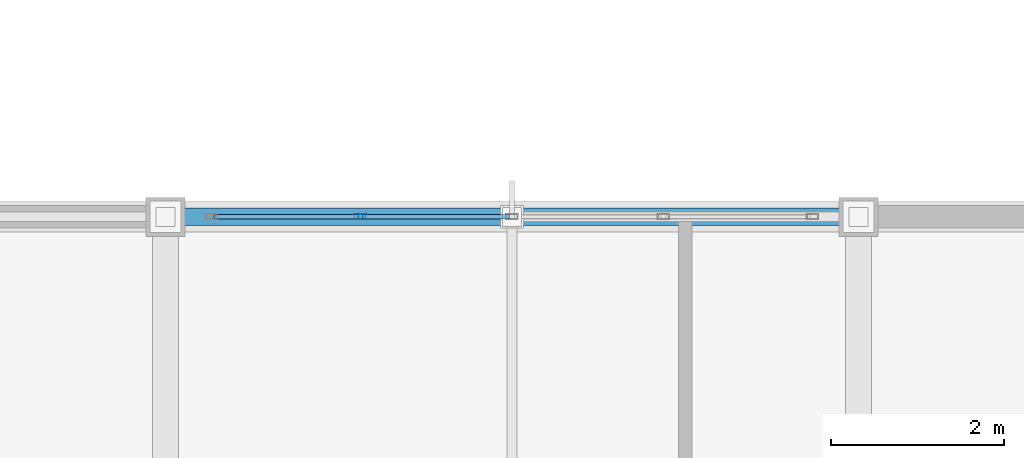
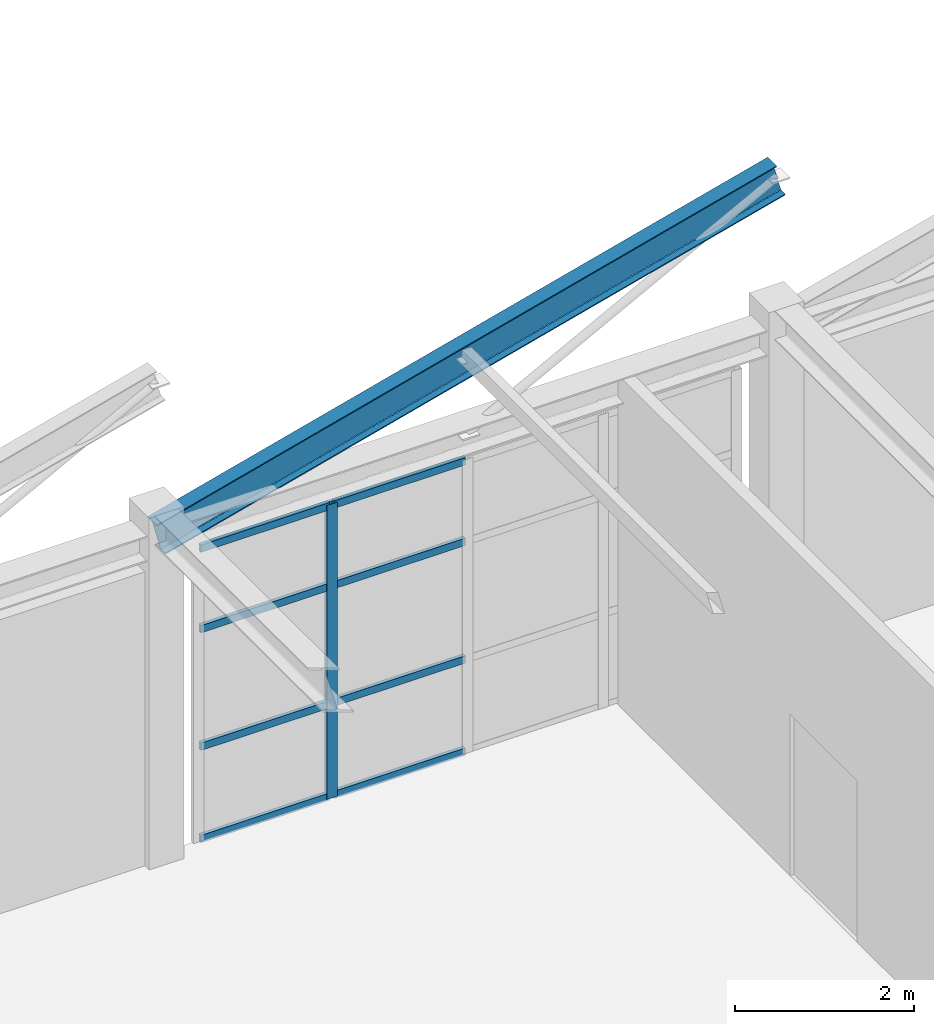
# One storey, part 5 of 63: 9 members, 1 beam, 1 element without a shape of its own.
"""IFC4 building model written with IfcOpenShell, lengths in metres."""

from ifc_helpers import new_model, si_unit, direction, frame, origin, origin_2d, place, context, subcontext, project, spatial, hollow_rectangle, i_section, extrude, material, layer, layer_set, material_profile, profile_set, type_object, element, aggregate, save


model = new_model("IFC4")

# Units and contexts
model_context = context("Model", 3, precision=1e-05, world=origin(), true_north=direction((0.0, 1.0)))
body_context = subcontext(model_context, "Body", "Model", "MODEL_VIEW")
ifc_project = project(units=[si_unit("LENGTHUNIT", "METRE"), si_unit("AREAUNIT", "SQUARE_METRE"), si_unit("VOLUMEUNIT", "CUBIC_METRE"), si_unit("PLANEANGLEUNIT", "RADIAN"), si_unit("MASSUNIT", "GRAM", prefix="KILO")], contexts=[model_context])

# Site, building, storey
site_placement = place(None, origin())
site = spatial("IfcSite", under=ifc_project, at=site_placement, CompositionType="ELEMENT")
building_placement = place(site_placement, origin())
building = spatial("IfcBuilding", under=site, at=building_placement, Name="Canggui Botanical Conservatory", CompositionType="ELEMENT")
storey_placement = place(building_placement, frame((0.0, 0.0, 10.199951171875)))
storey = spatial("IfcBuildingStorey", under=building, at=storey_placement, Name="L03", CompositionType="ELEMENT", Elevation=10.199951171875)

# Beam
ifc_material_1 = material(Name="Steel Q355B", Category="steel")
ifc_material_profile_1 = material_profile(ifc_material_1, i_section(OverallWidth=0.199951171875, OverallDepth=0.449951171875, WebThickness=0.009033203125, FlangeThickness=0.013916015625, FilletRadius=0.01806640625, at=origin_2d()), Name="HN 450x200x9x14")
ifc_profile_set_1 = profile_set([ifc_material_profile_1], Name="Steel Q355B")
beam_type = type_object("IfcBeamType", Name="BM-GL07", PredefinedType="BEAM", material=ifc_profile_set_1)
beam_placement = place(storey_placement, frame((50.0, 34.0, 4.35009765625), z_axis=(0.967235314575, 0.0, 0.253881559468), x_axis=(0.0, 1.0, 0.0)))
element("IfcBeam", 1, at=beam_placement, inside=storey, type_object=beam_type, Name="Visitor Sawtooth Steel Rafter 4-Y34", PredefinedType="BEAM", context=body_context, shape_type="SweptSolid", body=[
    extrude(i_section(OverallWidth=0.199951171875, OverallDepth=0.449951171875, WebThickness=0.009033203125, FlangeThickness=0.013916015625, FilletRadius=0.01806640625, at=origin_2d()), origin(), (0.0, 0.0, 1.0), 8.27099609375),
])

# Curtain wall, members
ifc_material_2 = material(Name="Thermally Broken Aluminium", Category="aluminium")
ifc_layer = layer(ifc_material_2, 0.135009765625, Name="Thermally Broken Aluminium", Category="aluminium")
ifc_layer_set = layer_set([ifc_layer], Name="Thermally Broken Aluminium")
curtain_wall_type = type_object("IfcCurtainWallType", Name="CW-STICK-A", PredefinedType="USERDEFINED", material=ifc_layer_set)
curtain_wall_placement = place(storey_placement, origin())
curtain_wall = element("IfcCurtainWall", 2, at=curtain_wall_placement, inside=storey, type_object=curtain_wall_type, Name="Facade Curtain Wall CW-VIS-L03-12", ObjectType="STICK GLAZED WALL", PredefinedType="USERDEFINED")
ifc_material_profile_2 = material_profile(ifc_material_2, hollow_rectangle(XDim=0.06005859375, YDim=0.135009765625, WallThickness=0.00341796875, at=origin_2d()), Name="CWM 60x135x3.5")
ifc_profile_set_2 = profile_set([ifc_material_profile_2], Name="Thermally Broken Aluminium")
member_type_1 = type_object("IfcMemberType", Name="CWM-04", PredefinedType="MULLION", material=ifc_profile_set_2)
member_1_placement = place(storey_placement, frame((52.25, 34.0, 0.0), z_axis=(0.0, 0.0, 1.0), x_axis=(0.0, 1.0, 0.0)))
member_1 = element("IfcMember", 3, at=member_1_placement, type_object=member_type_1, Name="CW-04 mullion 2", PredefinedType="MULLION", context=body_context, shape_type="SweptSolid", body=[
    extrude(hollow_rectangle(XDim=0.06005859375, YDim=0.135009765625, WallThickness=0.00341796875, at=origin_2d()), origin(), (0.0, 0.0, 1.0), 4.010009765625),
])
ifc_material_profile_3 = material_profile(ifc_material_2, hollow_rectangle(XDim=0.050048828125, YDim=0.10009765625, WallThickness=0.0029296875, at=origin_2d()), Name="CWT 50x100x3")
ifc_profile_set_3 = profile_set([ifc_material_profile_3], Name="Thermally Broken Aluminium")
member_type_2 = type_object("IfcMemberType", Name="CWT-04", PredefinedType="USERDEFINED", material=ifc_profile_set_3)
member_2_placement = place(storey_placement, frame((50.56005859375, 34.0, 0.025146484375), z_axis=(1.0, 0.0, 0.0), x_axis=(0.0, 1.0, 0.0)))
member_2 = element("IfcMember", 4, at=member_2_placement, type_object=member_type_2, Name="CW-04 transom 1.1", ObjectType="TRANSOM", PredefinedType="USERDEFINED", context=body_context, shape_type="SweptSolid", body=[
    extrude(hollow_rectangle(XDim=0.050048828125, YDim=0.10009765625, WallThickness=0.0029296875, at=origin_2d()), origin(), (0.0, 0.0, 1.0), 1.659912109375),
])
member_3_placement = place(storey_placement, frame((50.56005859375, 34.0, 1.283203125), z_axis=(1.0, 0.0, 0.0), x_axis=(0.0, 1.0, 0.0)))
member_3 = element("IfcMember", 5, at=member_3_placement, type_object=member_type_2, Name="CW-04 transom 1.2", ObjectType="TRANSOM", PredefinedType="USERDEFINED", context=body_context, shape_type="SweptSolid", body=[
    extrude(hollow_rectangle(XDim=0.050048828125, YDim=0.10009765625, WallThickness=0.0029296875, at=origin_2d()), origin(), (0.0, 0.0, 1.0), 1.659912109375),
])
member_4_placement = place(storey_placement, frame((50.56005859375, 34.0, 2.88720703125), z_axis=(1.0, 0.0, 0.0), x_axis=(0.0, 1.0, 0.0)))
member_4 = element("IfcMember", 6, at=member_4_placement, type_object=member_type_2, Name="CW-04 transom 1.3", ObjectType="TRANSOM", PredefinedType="USERDEFINED", context=body_context, shape_type="SweptSolid", body=[
    extrude(hollow_rectangle(XDim=0.050048828125, YDim=0.10009765625, WallThickness=0.0029296875, at=origin_2d()), origin(), (0.0, 0.0, 1.0), 1.659912109375),
])
member_5_placement = place(storey_placement, frame((50.56005859375, 34.0, 3.985107421875), z_axis=(1.0, 0.0, 0.0), x_axis=(0.0, 1.0, 0.0)))
member_5 = element("IfcMember", 7, at=member_5_placement, type_object=member_type_2, Name="CW-04 transom 1.4", ObjectType="TRANSOM", PredefinedType="USERDEFINED", context=body_context, shape_type="SweptSolid", body=[
    extrude(hollow_rectangle(XDim=0.050048828125, YDim=0.10009765625, WallThickness=0.0029296875, at=origin_2d()), origin(), (0.0, 0.0, 1.0), 1.659912109375),
])
member_6_placement = place(storey_placement, frame((52.280029296875, 34.0, 0.025146484375), z_axis=(1.0, 0.0, 0.0), x_axis=(0.0, 1.0, 0.0)))
member_6 = element("IfcMember", 8, at=member_6_placement, type_object=member_type_2, Name="CW-04 transom 2.1", ObjectType="TRANSOM", PredefinedType="USERDEFINED", context=body_context, shape_type="SweptSolid", body=[
    extrude(hollow_rectangle(XDim=0.050048828125, YDim=0.10009765625, WallThickness=0.0029296875, at=origin_2d()), origin(), (0.0, 0.0, 1.0), 1.68994140625),
])
member_7_placement = place(storey_placement, frame((52.280029296875, 34.0, 1.283203125), z_axis=(1.0, 0.0, 0.0), x_axis=(0.0, 1.0, 0.0)))
member_7 = element("IfcMember", 9, at=member_7_placement, type_object=member_type_2, Name="CW-04 transom 2.2", ObjectType="TRANSOM", PredefinedType="USERDEFINED", context=body_context, shape_type="SweptSolid", body=[
    extrude(hollow_rectangle(XDim=0.050048828125, YDim=0.10009765625, WallThickness=0.0029296875, at=origin_2d()), origin(), (0.0, 0.0, 1.0), 1.68994140625),
])
member_8_placement = place(storey_placement, frame((52.280029296875, 34.0, 2.88720703125), z_axis=(1.0, 0.0, 0.0), x_axis=(0.0, 1.0, 0.0)))
member_8 = element("IfcMember", 10, at=member_8_placement, type_object=member_type_2, Name="CW-04 transom 2.3", ObjectType="TRANSOM", PredefinedType="USERDEFINED", context=body_context, shape_type="SweptSolid", body=[
    extrude(hollow_rectangle(XDim=0.050048828125, YDim=0.10009765625, WallThickness=0.0029296875, at=origin_2d()), origin(), (0.0, 0.0, 1.0), 1.68994140625),
])
member_9_placement = place(storey_placement, frame((52.280029296875, 34.0, 3.985107421875), z_axis=(1.0, 0.0, 0.0), x_axis=(0.0, 1.0, 0.0)))
member_9 = element("IfcMember", 11, at=member_9_placement, type_object=member_type_2, Name="CW-04 transom 2.4", ObjectType="TRANSOM", PredefinedType="USERDEFINED", context=body_context, shape_type="SweptSolid", body=[
    extrude(hollow_rectangle(XDim=0.050048828125, YDim=0.10009765625, WallThickness=0.0029296875, at=origin_2d()), origin(), (0.0, 0.0, 1.0), 1.68994140625),
])
aggregate(curtain_wall, [member_1, member_2, member_3, member_4, member_5, member_6, member_7, member_8, member_9])

save(model, "model.ifc")
